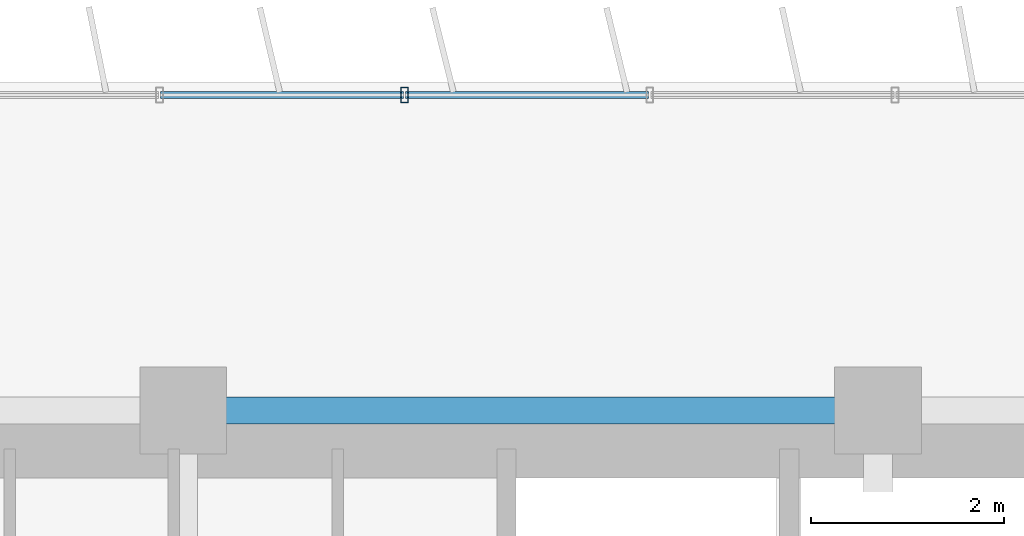
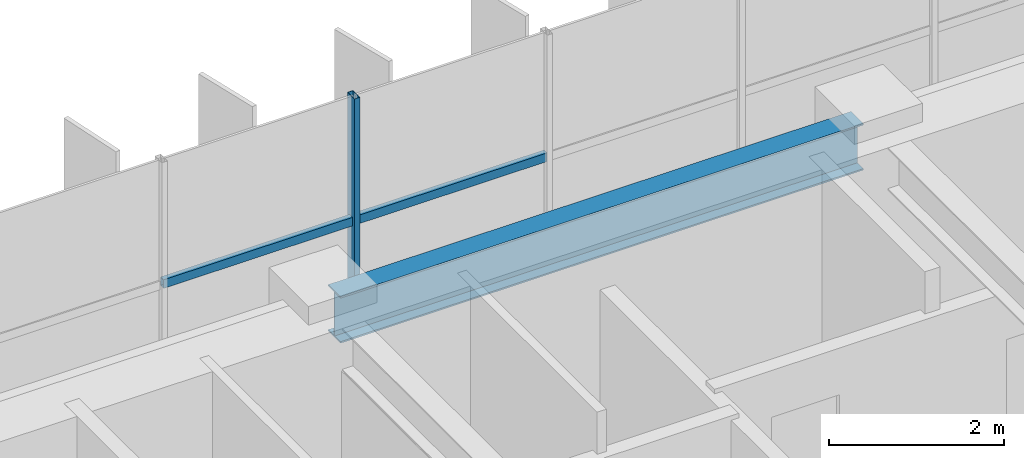
# One storey, part 9 of 26: 3 members, 1 beam, 1 element without a shape of its own.
"""IFC4 building model written with IfcOpenShell, lengths in metres."""

from ifc_helpers import new_model, si_unit, direction, frame, origin, origin_2d, place, context, subcontext, project, spatial, hollow_rectangle, i_section, extrude, source, transform, mapped, material, material_profile, profile_set, type_object, element, aggregate, save


model = new_model("IFC4")

# Units and contexts
model_context = context("Model", 3, precision=1e-05, world=origin(), true_north=direction((0.0, 1.0)))
body_context = subcontext(model_context, "Body", "Model", "MODEL_VIEW")
ifc_project = project(units=[si_unit("LENGTHUNIT", "METRE"), si_unit("AREAUNIT", "SQUARE_METRE"), si_unit("VOLUMEUNIT", "CUBIC_METRE"), si_unit("PLANEANGLEUNIT", "RADIAN"), si_unit("MASSUNIT", "GRAM", prefix="KILO")], contexts=[model_context])

# Site, building, storey
site_placement = place(None, origin())
site = spatial("IfcSite", under=ifc_project, at=site_placement, CompositionType="ELEMENT")
building_placement = place(site_placement, origin())
building = spatial("IfcBuilding", under=site, at=building_placement, Name="Trelvane Seafront Commons", CompositionType="ELEMENT")
storey_placement = place(building_placement, frame((0.0, 0.0, 23.5)))
storey = spatial("IfcBuildingStorey", under=building, at=storey_placement, Name="L05", CompositionType="ELEMENT", Elevation=23.5)

# Beam
ifc_material_1 = material(Name="Steel SM355 (S355)", Category="steel")
ifc_material_profile_1 = material_profile(ifc_material_1, i_section(OverallWidth=0.280029296875, OverallDepth=0.64990234375, WebThickness=0.012939453125, FlangeThickness=0.02197265625, at=origin_2d()), Name="H-650x280x13x22")
ifc_profile_set_1 = profile_set([ifc_material_profile_1], Name="Steel SM355 (S355)")
beam_type = type_object("IfcBeamType", Name="STR-BM-H650", PredefinedType="BEAM", material=ifc_profile_set_1)
shared_shape_1 = source(origin(), body_context, "Body", "SweptSolid", [
    extrude(i_section(OverallWidth=0.280029296875, OverallDepth=0.64990234375, WebThickness=0.012939453125, FlangeThickness=0.02197265625, at=origin_2d()), origin(), (0.0, 0.0, 1.0), 6.900146484375),
])
beam_placement = place(storey_placement, frame((43.949951171875, 45.10009765625, 3.014892578125), z_axis=(1.0, 0.0, 0.0), x_axis=(0.0, 1.0, 0.0)))
element("IfcBeam", 1, at=beam_placement, inside=storey, type_object=beam_type, Name="L05 Primary Girder G-33", PredefinedType="BEAM", context=body_context, shape_type="MappedRepresentation", body=[
    mapped(shared_shape_1, transform((0.0, 0.0, 0.0), x_axis=(1.0, 0.0, 0.0), y_axis=(0.0, 1.0, 0.0), z_axis=(0.0, 0.0, 1.0), scale=1.0)),
])

# Curtain wall, members
ifc_material_2 = material(Name="Anodised pale-silver aluminium", Category="aluminium")
curtain_wall_type = type_object("IfcCurtainWallType", Name="ARCH-CW2-LOWTOWER", PredefinedType="NOTDEFINED", material=ifc_material_2)
curtain_wall_placement = place(storey_placement, origin())
curtain_wall = element("IfcCurtainWall", 2, at=curtain_wall_placement, inside=storey, type_object=curtain_wall_type, Name="CW-L05-0029", PredefinedType="NOTDEFINED")
ifc_material_profile_2 = material_profile(ifc_material_2, hollow_rectangle(XDim=0.074951171875, YDim=0.159912109375, WallThickness=0.00390625, at=origin_2d()), Name="MULL-75x160x4")
ifc_profile_set_2 = profile_set([ifc_material_profile_2], Name="Anodised pale-silver aluminium")
member_type_1 = type_object("IfcMemberType", Name="ARCH-CW-MULL-160", PredefinedType="MULLION", material=ifc_profile_set_2)
shared_shape_2 = source(origin(), body_context, "Body", "SweptSolid", [
    extrude(hollow_rectangle(XDim=0.074951171875, YDim=0.159912109375, WallThickness=0.00390625, at=origin_2d()), origin(), (0.0, 0.0, 1.0), 3.340087890625),
])
member_1_placement = place(storey_placement, frame((46.093994140625, 48.3701171875, 0.0), z_axis=(0.0, 0.0, 1.0), x_axis=(1.0, 0.0, 0.0)))
member_1 = element("IfcMember", 3, at=member_1_placement, type_object=member_type_1, Name="CW-L05-0029-M12", PredefinedType="MULLION", context=body_context, shape_type="MappedRepresentation", body=[
    mapped(shared_shape_2, transform((0.0, 0.0, 0.0), x_axis=(1.0, 0.0, 0.0), y_axis=(0.0, 1.0, 0.0), z_axis=(0.0, 0.0, 1.0), scale=1.0)),
])
ifc_material_profile_3 = material_profile(ifc_material_2, hollow_rectangle(XDim=0.070068359375, YDim=0.1201171875, WallThickness=0.00390625, at=origin_2d()), Name="TRAN-70x120x4")
ifc_profile_set_3 = profile_set([ifc_material_profile_3], Name="Anodised pale-silver aluminium")
member_type_2 = type_object("IfcMemberType", Name="ARCH-CW-TRAN-120", PredefinedType="USERDEFINED", material=ifc_profile_set_3)
shared_shape_3 = source(origin(), body_context, "Body", "SweptSolid", [
    extrude(hollow_rectangle(XDim=0.070068359375, YDim=0.1201171875, WallThickness=0.00390625, at=origin_2d()), origin(), (0.0, 0.0, 1.0), 2.51708984375),
])
member_2_placement = place(storey_placement, frame((43.56494140625, 48.3701171875, 1.60302734375), z_axis=(1.0, 0.0, 0.0), x_axis=(0.0, 1.0, 0.0)))
member_2 = element("IfcMember", 4, at=member_2_placement, type_object=member_type_2, Name="CW-L05-0029-T11", ObjectType="TRANSOM", PredefinedType="USERDEFINED", context=body_context, shape_type="MappedRepresentation", body=[
    mapped(shared_shape_3, transform((0.0, 0.0, 0.0), x_axis=(1.0, 0.0, 0.0), y_axis=(0.0, 1.0, 0.0), z_axis=(0.0, 0.0, 1.0), scale=1.0)),
])
member_3_placement = place(storey_placement, frame((46.106201171875, 48.3701171875, 1.60302734375), z_axis=(1.0, 0.0, 0.0), x_axis=(0.0, 1.0, 0.0)))
member_3 = element("IfcMember", 5, at=member_3_placement, type_object=member_type_2, Name="CW-L05-0029-T12", ObjectType="TRANSOM", PredefinedType="USERDEFINED", context=body_context, shape_type="MappedRepresentation", body=[
    mapped(shared_shape_3, transform((0.0, 0.0, 0.0), x_axis=(1.0, 0.0, 0.0), y_axis=(0.0, 1.0, 0.0), z_axis=(0.0, 0.0, 1.0), scale=1.0)),
])
aggregate(curtain_wall, [member_1, member_2, member_3])

save(model, "model.ifc")
